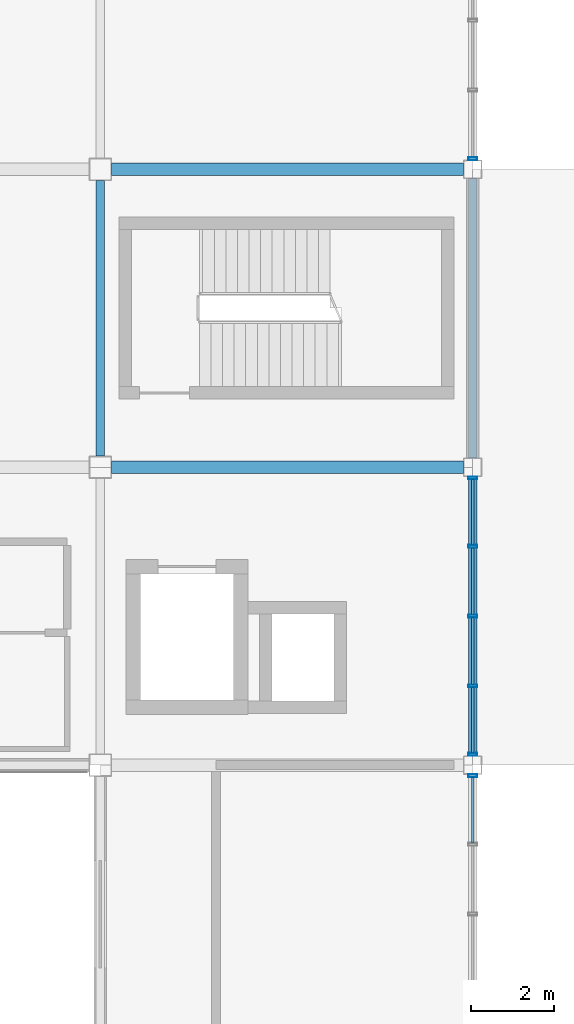
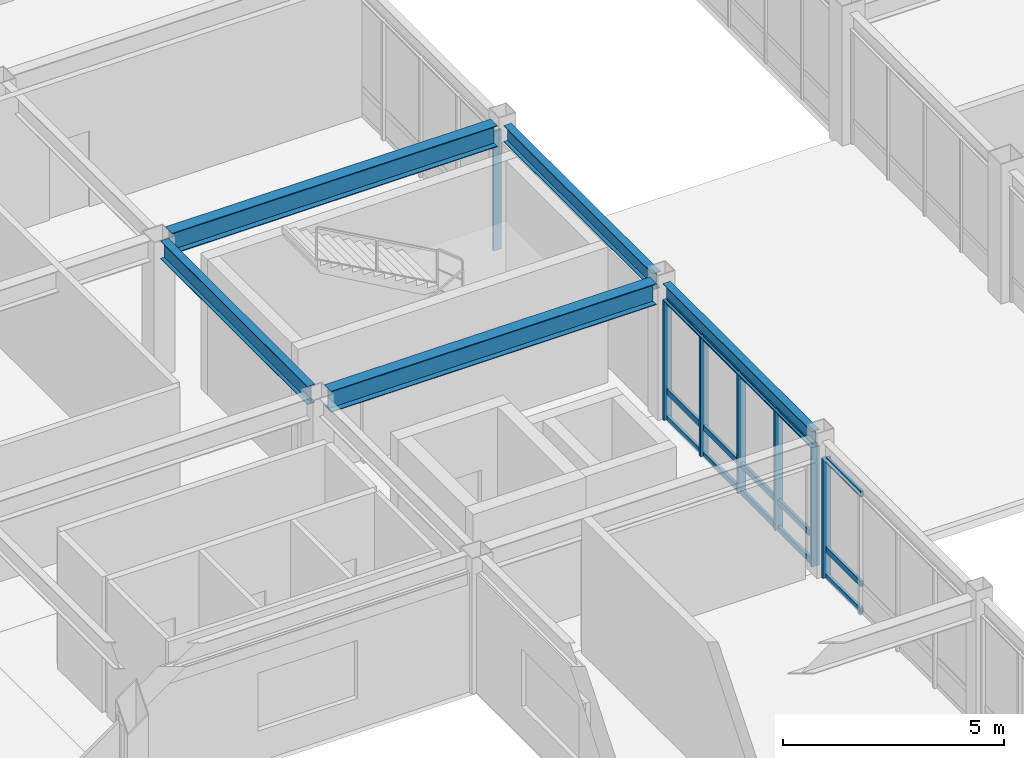
# One storey, part 74 of 113: 22 members, 5 beams, 3 elements without a shape of their own.
"""IFC4 building model written with IfcOpenShell, lengths in metres."""

from ifc_helpers import new_model, si_unit, direction, frame, origin, origin_2d, place, context, subcontext, project, spatial, hollow_rectangle, i_section, extrude, material, material_profile, profile_set, type_object, element, aggregate, save


model = new_model("IFC4")

# Units and contexts
model_context = context("Model", 3, precision=1e-05, world=origin(), true_north=direction((0.0, 1.0)))
body_context = subcontext(model_context, "Body", "Model", "MODEL_VIEW")
ifc_project = project(units=[si_unit("LENGTHUNIT", "METRE"), si_unit("AREAUNIT", "SQUARE_METRE"), si_unit("VOLUMEUNIT", "CUBIC_METRE"), si_unit("PLANEANGLEUNIT", "RADIAN"), si_unit("MASSUNIT", "GRAM", prefix="KILO")], contexts=[model_context])

# Site, building, storey
site_placement = place(None, origin())
site = spatial("IfcSite", under=ifc_project, at=site_placement, CompositionType="ELEMENT")
building_placement = place(site_placement, origin())
building = spatial("IfcBuilding", under=site, at=building_placement, Name="Kazanami Central Library", CompositionType="ELEMENT")
storey_placement = place(building_placement, frame((0.0, 0.0, 8.800048828125)))
storey = spatial("IfcBuildingStorey", under=building, at=storey_placement, Name="L03", CompositionType="ELEMENT", Elevation=8.800048828125)

# Beams
ifc_material_1 = material(Name="Steel SN490B (325 MPa)", Category="steel")
ifc_material_profile_1 = material_profile(ifc_material_1, i_section(OverallWidth=0.300048828125, OverallDepth=0.587890625, WebThickness=0.011962890625, FlangeThickness=0.02001953125, at=origin_2d()), Name="H-588x300x12x20")
ifc_profile_set_1 = profile_set([ifc_material_profile_1], Name="Steel SN490B (325 MPa)")
beam_type_1 = type_object("IfcBeamType", Name="BM-G-X2", PredefinedType="BEAM", material=ifc_profile_set_1)
for number, where, z_axis, x_axis, name in (
    (1, (99.27294921875, 72.0, 3.450927734375), (1.0, 0.0, 0.0), (0.0, 1.0, 0.0), "Girder G-X2 L03 L/12-13"),
    (2, (99.27294921875, 79.199951171875, 3.450927734375), (1.0, 0.0, 0.0), (0.0, 1.0, 0.0), "Girder G-X2 L03 M/12-13"),
):
    element("IfcBeam", number, at=place(storey_placement, frame(where, z_axis=z_axis, x_axis=x_axis)), inside=storey, type_object=beam_type_1, Name=name, PredefinedType="BEAM", context=body_context, shape_type="SweptSolid", body=[
        extrude(i_section(OverallWidth=0.300048828125, OverallDepth=0.587890625, WebThickness=0.011962890625, FlangeThickness=0.02001953125, at=origin_2d()), origin(), (0.0, 0.0, 1.0), 8.504150390625),
    ])
ifc_material_profile_2 = material_profile(ifc_material_1, i_section(OverallWidth=0.199951171875, OverallDepth=0.5, WebThickness=0.010009765625, FlangeThickness=0.01611328125, at=origin_2d()), Name="H-500x200x10x16")
ifc_profile_set_2 = profile_set([ifc_material_profile_2], Name="Steel SN490B (325 MPa)")
beam_type_2 = type_object("IfcBeamType", Name="BM-G-Y2", PredefinedType="BEAM", material=ifc_profile_set_2)
beam_placement = place(storey_placement, frame((99.0, 72.27294921875, 3.494873046875), z_axis=(0.0, 1.0, 0.0), x_axis=(-1.0, 0.0, 0.0)))
element("IfcBeam", 3, at=beam_placement, inside=storey, type_object=beam_type_2, Name="Girder G-Y2 L03 12/L-M", PredefinedType="BEAM", context=body_context, shape_type="SweptSolid", body=[
    extrude(i_section(OverallWidth=0.199951171875, OverallDepth=0.5, WebThickness=0.010009765625, FlangeThickness=0.01611328125, at=origin_2d()), origin(), (0.0, 0.0, 1.0), 6.654052734375),
])
ifc_material_profile_3 = material_profile(ifc_material_1, i_section(OverallWidth=0.199951171875, OverallDepth=0.449951171875, WebThickness=0.009033203125, FlangeThickness=0.013916015625, at=origin_2d()), Name="H-450x200x9x14")
ifc_profile_set_3 = profile_set([ifc_material_profile_3], Name="Steel SN490B (325 MPa)")
beam_type_3 = type_object("IfcBeamType", Name="BM-SP-2", PredefinedType="SPANDREL", material=ifc_profile_set_3)
for number, where, z_axis, x_axis, name in (
    (4, (108.0, 65.02294921875, 3.52001953125), (0.0, 1.0, 0.0), (-1.0, 0.0, 0.0), "Girder SP-2 L03 13/K-L"),
    (5, (108.0, 72.222900390625, 3.52001953125), (0.0, 1.0, 0.0), (-1.0, 0.0, 0.0), "Girder SP-2 L03 13/L-M"),
):
    element("IfcBeam", number, at=place(storey_placement, frame(where, z_axis=z_axis, x_axis=x_axis)), inside=storey, type_object=beam_type_3, Name=name, PredefinedType="SPANDREL", context=body_context, shape_type="SweptSolid", body=[
        extrude(i_section(OverallWidth=0.199951171875, OverallDepth=0.449951171875, WebThickness=0.009033203125, FlangeThickness=0.013916015625, at=origin_2d()), origin(), (0.0, 0.0, 1.0), 6.754150390625),
    ])

# Curtain wall, member
ifc_material_2 = material(Name="Acid-Etched Low-E Laminated Glass", Category="glass")
curtain_wall_type = type_object("IfcCurtainWallType", Name="CW-6750x3295-M180", PredefinedType="USERDEFINED", material=ifc_material_2)
curtain_wall_1_placement = place(storey_placement, origin())
curtain_wall_1 = element("IfcCurtainWall", 6, at=curtain_wall_1_placement, inside=storey, type_object=curtain_wall_type, Name="Covered Link Bridge Curtain Wall CW-32 L03 E-13-08", ObjectType="UNITISED CURTAIN WALL", PredefinedType="USERDEFINED")
ifc_material_3 = material(Name="Anodised Aluminium A6063-T5", Category="aluminium")
ifc_material_profile_4 = material_profile(ifc_material_3, hollow_rectangle(XDim=0.070068359375, YDim=0.2099609375, WallThickness=0.0048828125, at=origin_2d()), Name="ALU-MULL-70x210x5")
ifc_profile_set_4 = profile_set([ifc_material_profile_4], Name="Anodised Aluminium A6063-T5")
member_type_1 = type_object("IfcMemberType", Name="MEM-CW-M1", PredefinedType="MULLION", material=ifc_profile_set_4)
member_1_placement = place(storey_placement, frame((108.0, 64.5400390625, 0.0), z_axis=(0.0, 0.0, 1.0), x_axis=(0.0, -1.0, 0.0)))
member_1 = element("IfcMember", 7, at=member_1_placement, type_object=member_type_1, Name="CW-32 mullion 1", PredefinedType="MULLION", context=body_context, shape_type="SweptSolid", body=[
    extrude(hollow_rectangle(XDim=0.070068359375, YDim=0.2099609375, WallThickness=0.0048828125, at=origin_2d()), origin(), (0.0, 0.0, 1.0), 3.294921875),
])

# Curtain wall, members
curtain_wall_2_placement = place(storey_placement, origin())
curtain_wall_2 = element("IfcCurtainWall", 8, at=curtain_wall_2_placement, inside=storey, type_object=curtain_wall_type, Name="Covered Link Bridge Curtain Wall CW-32 L03 E-13-09", ObjectType="UNITISED CURTAIN WALL", PredefinedType="USERDEFINED")
member_2_placement = place(storey_placement, frame((108.0, 71.739990234375, 0.0), z_axis=(0.0, 0.0, 1.0), x_axis=(0.0, -1.0, 0.0)))
member_2 = element("IfcMember", 9, at=member_2_placement, type_object=member_type_1, Name="CW-32 mullion 1", PredefinedType="MULLION", context=body_context, shape_type="SweptSolid", body=[
    extrude(hollow_rectangle(XDim=0.070068359375, YDim=0.2099609375, WallThickness=0.0048828125, at=origin_2d()), origin(), (0.0, 0.0, 1.0), 3.294921875),
])
member_3_placement = place(storey_placement, frame((108.0, 70.08740234375, 0.0), z_axis=(0.0, 0.0, 1.0), x_axis=(0.0, -1.0, 0.0)))
member_3 = element("IfcMember", 10, at=member_3_placement, type_object=member_type_1, Name="CW-32 mullion 2", PredefinedType="MULLION", context=body_context, shape_type="SweptSolid", body=[
    extrude(hollow_rectangle(XDim=0.070068359375, YDim=0.2099609375, WallThickness=0.0048828125, at=origin_2d()), origin(), (0.0, 0.0, 1.0), 3.294921875),
])
member_4_placement = place(storey_placement, frame((108.0, 68.39990234375, 0.0), z_axis=(0.0, 0.0, 1.0), x_axis=(0.0, -1.0, 0.0)))
member_4 = element("IfcMember", 11, at=member_4_placement, type_object=member_type_1, Name="CW-32 mullion 3", PredefinedType="MULLION", context=body_context, shape_type="SweptSolid", body=[
    extrude(hollow_rectangle(XDim=0.070068359375, YDim=0.2099609375, WallThickness=0.0048828125, at=origin_2d()), origin(), (0.0, 0.0, 1.0), 3.294921875),
])
member_5_placement = place(storey_placement, frame((108.0, 66.71240234375, 0.0), z_axis=(0.0, 0.0, 1.0), x_axis=(0.0, -1.0, 0.0)))
member_5 = element("IfcMember", 12, at=member_5_placement, type_object=member_type_1, Name="CW-32 mullion 4", PredefinedType="MULLION", context=body_context, shape_type="SweptSolid", body=[
    extrude(hollow_rectangle(XDim=0.070068359375, YDim=0.2099609375, WallThickness=0.0048828125, at=origin_2d()), origin(), (0.0, 0.0, 1.0), 3.294921875),
])
member_6_placement = place(storey_placement, frame((108.0, 65.06005859375, 0.0), z_axis=(0.0, 0.0, 1.0), x_axis=(0.0, -1.0, 0.0)))
member_6 = element("IfcMember", 13, at=member_6_placement, type_object=member_type_1, Name="CW-32 mullion 5", PredefinedType="MULLION", context=body_context, shape_type="SweptSolid", body=[
    extrude(hollow_rectangle(XDim=0.070068359375, YDim=0.2099609375, WallThickness=0.0048828125, at=origin_2d()), origin(), (0.0, 0.0, 1.0), 3.294921875),
])

# Curtain wall, member
curtain_wall_3_placement = place(storey_placement, origin())
curtain_wall_3 = element("IfcCurtainWall", 14, at=curtain_wall_3_placement, inside=storey, type_object=curtain_wall_type, Name="Covered Link Bridge Curtain Wall CW-32 L03 E-13-11", ObjectType="UNITISED CURTAIN WALL", PredefinedType="USERDEFINED")
member_7_placement = place(storey_placement, frame((108.0, 79.4599609375, 0.0), z_axis=(0.0, 0.0, 1.0), x_axis=(0.0, -1.0, 0.0)))
member_7 = element("IfcMember", 15, at=member_7_placement, type_object=member_type_1, Name="CW-32 mullion 5", PredefinedType="MULLION", context=body_context, shape_type="SweptSolid", body=[
    extrude(hollow_rectangle(XDim=0.070068359375, YDim=0.2099609375, WallThickness=0.0048828125, at=origin_2d()), origin(), (0.0, 0.0, 1.0), 3.294921875),
])
aggregate(curtain_wall_3, [member_7])

# Member
ifc_material_profile_5 = material_profile(ifc_material_3, hollow_rectangle(XDim=0.070068359375, YDim=0.159912109375, WallThickness=0.00390625, at=origin_2d()), Name="ALU-TRAN-70x160x4")
ifc_profile_set_5 = profile_set([ifc_material_profile_5], Name="Anodised Aluminium A6063-T5")
member_type_2 = type_object("IfcMemberType", Name="MEM-CW-T1", PredefinedType="USERDEFINED", material=ifc_profile_set_5)
member_8_placement = place(storey_placement, frame((108.0, 64.5048828125, 0.034912109375), z_axis=(0.0, -1.0, 0.0), x_axis=(1.0, 0.0, 0.0)))
member_8 = element("IfcMember", 16, at=member_8_placement, type_object=member_type_2, Name="CW-32 transom 1.1", ObjectType="TRANSOM", PredefinedType="USERDEFINED", context=body_context, shape_type="SweptSolid", body=[
    extrude(hollow_rectangle(XDim=0.070068359375, YDim=0.159912109375, WallThickness=0.00390625, at=origin_2d()), origin(), (0.0, 0.0, 1.0), 1.582275390625),
])

member_9_placement = place(storey_placement, frame((108.0, 64.5048828125, 0.780029296875), z_axis=(0.0, -1.0, 0.0), x_axis=(1.0, 0.0, 0.0)))
member_9 = element("IfcMember", 17, at=member_9_placement, type_object=member_type_2, Name="CW-32 transom 1.2", ObjectType="TRANSOM", PredefinedType="USERDEFINED", context=body_context, shape_type="SweptSolid", body=[
    extrude(hollow_rectangle(XDim=0.070068359375, YDim=0.159912109375, WallThickness=0.00390625, at=origin_2d()), origin(), (0.0, 0.0, 1.0), 1.582275390625),
])

member_10_placement = place(storey_placement, frame((108.0, 64.5048828125, 3.260009765625), z_axis=(0.0, -1.0, 0.0), x_axis=(1.0, 0.0, 0.0)))
member_10 = element("IfcMember", 18, at=member_10_placement, type_object=member_type_2, Name="CW-32 transom 1.3", ObjectType="TRANSOM", PredefinedType="USERDEFINED", context=body_context, shape_type="SweptSolid", body=[
    extrude(hollow_rectangle(XDim=0.070068359375, YDim=0.159912109375, WallThickness=0.00390625, at=origin_2d()), origin(), (0.0, 0.0, 1.0), 1.582275390625),
])

aggregate(curtain_wall_1, [member_1, member_8, member_9, member_10])

member_11_placement = place(storey_placement, frame((108.0, 71.705078125, 0.034912109375), z_axis=(0.0, -1.0, 0.0), x_axis=(1.0, 0.0, 0.0)))
member_11 = element("IfcMember", 19, at=member_11_placement, type_object=member_type_2, Name="CW-32 transom 1.1", ObjectType="TRANSOM", PredefinedType="USERDEFINED", context=body_context, shape_type="SweptSolid", body=[
    extrude(hollow_rectangle(XDim=0.070068359375, YDim=0.159912109375, WallThickness=0.00390625, at=origin_2d()), origin(), (0.0, 0.0, 1.0), 1.58251953125),
])

member_12_placement = place(storey_placement, frame((108.0, 71.705078125, 0.780029296875), z_axis=(0.0, -1.0, 0.0), x_axis=(1.0, 0.0, 0.0)))
member_12 = element("IfcMember", 20, at=member_12_placement, type_object=member_type_2, Name="CW-32 transom 1.2", ObjectType="TRANSOM", PredefinedType="USERDEFINED", context=body_context, shape_type="SweptSolid", body=[
    extrude(hollow_rectangle(XDim=0.070068359375, YDim=0.159912109375, WallThickness=0.00390625, at=origin_2d()), origin(), (0.0, 0.0, 1.0), 1.58251953125),
])

member_13_placement = place(storey_placement, frame((108.0, 71.705078125, 3.260009765625), z_axis=(0.0, -1.0, 0.0), x_axis=(1.0, 0.0, 0.0)))
member_13 = element("IfcMember", 21, at=member_13_placement, type_object=member_type_2, Name="CW-32 transom 1.3", ObjectType="TRANSOM", PredefinedType="USERDEFINED", context=body_context, shape_type="SweptSolid", body=[
    extrude(hollow_rectangle(XDim=0.070068359375, YDim=0.159912109375, WallThickness=0.00390625, at=origin_2d()), origin(), (0.0, 0.0, 1.0), 1.58251953125),
])

member_14_placement = place(storey_placement, frame((108.0, 70.052490234375, 0.034912109375), z_axis=(0.0, -1.0, 0.0), x_axis=(1.0, 0.0, 0.0)))
member_14 = element("IfcMember", 22, at=member_14_placement, type_object=member_type_2, Name="CW-32 transom 2.1", ObjectType="TRANSOM", PredefinedType="USERDEFINED", context=body_context, shape_type="SweptSolid", body=[
    extrude(hollow_rectangle(XDim=0.070068359375, YDim=0.159912109375, WallThickness=0.00390625, at=origin_2d()), origin(), (0.0, 0.0, 1.0), 1.617431640625),
])

member_15_placement = place(storey_placement, frame((108.0, 70.052490234375, 0.780029296875), z_axis=(0.0, -1.0, 0.0), x_axis=(1.0, 0.0, 0.0)))
member_15 = element("IfcMember", 23, at=member_15_placement, type_object=member_type_2, Name="CW-32 transom 2.2", ObjectType="TRANSOM", PredefinedType="USERDEFINED", context=body_context, shape_type="SweptSolid", body=[
    extrude(hollow_rectangle(XDim=0.070068359375, YDim=0.159912109375, WallThickness=0.00390625, at=origin_2d()), origin(), (0.0, 0.0, 1.0), 1.617431640625),
])

member_16_placement = place(storey_placement, frame((108.0, 70.052490234375, 3.260009765625), z_axis=(0.0, -1.0, 0.0), x_axis=(1.0, 0.0, 0.0)))
member_16 = element("IfcMember", 24, at=member_16_placement, type_object=member_type_2, Name="CW-32 transom 2.3", ObjectType="TRANSOM", PredefinedType="USERDEFINED", context=body_context, shape_type="SweptSolid", body=[
    extrude(hollow_rectangle(XDim=0.070068359375, YDim=0.159912109375, WallThickness=0.00390625, at=origin_2d()), origin(), (0.0, 0.0, 1.0), 1.617431640625),
])

member_17_placement = place(storey_placement, frame((108.0, 68.364990234375, 0.034912109375), z_axis=(0.0, -1.0, 0.0), x_axis=(1.0, 0.0, 0.0)))
member_17 = element("IfcMember", 25, at=member_17_placement, type_object=member_type_2, Name="CW-32 transom 3.1", ObjectType="TRANSOM", PredefinedType="USERDEFINED", context=body_context, shape_type="SweptSolid", body=[
    extrude(hollow_rectangle(XDim=0.070068359375, YDim=0.159912109375, WallThickness=0.00390625, at=origin_2d()), origin(), (0.0, 0.0, 1.0), 1.617431640625),
])

member_18_placement = place(storey_placement, frame((108.0, 68.364990234375, 0.780029296875), z_axis=(0.0, -1.0, 0.0), x_axis=(1.0, 0.0, 0.0)))
member_18 = element("IfcMember", 26, at=member_18_placement, type_object=member_type_2, Name="CW-32 transom 3.2", ObjectType="TRANSOM", PredefinedType="USERDEFINED", context=body_context, shape_type="SweptSolid", body=[
    extrude(hollow_rectangle(XDim=0.070068359375, YDim=0.159912109375, WallThickness=0.00390625, at=origin_2d()), origin(), (0.0, 0.0, 1.0), 1.617431640625),
])

member_19_placement = place(storey_placement, frame((108.0, 68.364990234375, 3.260009765625), z_axis=(0.0, -1.0, 0.0), x_axis=(1.0, 0.0, 0.0)))
member_19 = element("IfcMember", 27, at=member_19_placement, type_object=member_type_2, Name="CW-32 transom 3.3", ObjectType="TRANSOM", PredefinedType="USERDEFINED", context=body_context, shape_type="SweptSolid", body=[
    extrude(hollow_rectangle(XDim=0.070068359375, YDim=0.159912109375, WallThickness=0.00390625, at=origin_2d()), origin(), (0.0, 0.0, 1.0), 1.617431640625),
])

member_20_placement = place(storey_placement, frame((108.0, 66.677490234375, 0.034912109375), z_axis=(0.0, -1.0, 0.0), x_axis=(1.0, 0.0, 0.0)))
member_20 = element("IfcMember", 28, at=member_20_placement, type_object=member_type_2, Name="CW-32 transom 4.1", ObjectType="TRANSOM", PredefinedType="USERDEFINED", context=body_context, shape_type="SweptSolid", body=[
    extrude(hollow_rectangle(XDim=0.070068359375, YDim=0.159912109375, WallThickness=0.00390625, at=origin_2d()), origin(), (0.0, 0.0, 1.0), 1.58251953125),
])

member_21_placement = place(storey_placement, frame((108.0, 66.677490234375, 0.780029296875), z_axis=(0.0, -1.0, 0.0), x_axis=(1.0, 0.0, 0.0)))
member_21 = element("IfcMember", 29, at=member_21_placement, type_object=member_type_2, Name="CW-32 transom 4.2", ObjectType="TRANSOM", PredefinedType="USERDEFINED", context=body_context, shape_type="SweptSolid", body=[
    extrude(hollow_rectangle(XDim=0.070068359375, YDim=0.159912109375, WallThickness=0.00390625, at=origin_2d()), origin(), (0.0, 0.0, 1.0), 1.58251953125),
])

member_22_placement = place(storey_placement, frame((108.0, 66.677490234375, 3.260009765625), z_axis=(0.0, -1.0, 0.0), x_axis=(1.0, 0.0, 0.0)))
member_22 = element("IfcMember", 30, at=member_22_placement, type_object=member_type_2, Name="CW-32 transom 4.3", ObjectType="TRANSOM", PredefinedType="USERDEFINED", context=body_context, shape_type="SweptSolid", body=[
    extrude(hollow_rectangle(XDim=0.070068359375, YDim=0.159912109375, WallThickness=0.00390625, at=origin_2d()), origin(), (0.0, 0.0, 1.0), 1.58251953125),
])

aggregate(curtain_wall_2, [member_2, member_3, member_4, member_5, member_6, member_11, member_12, member_13, member_14, member_15, member_16, member_17, member_18, member_19, member_20, member_21, member_22])

save(model, "model.ifc")
